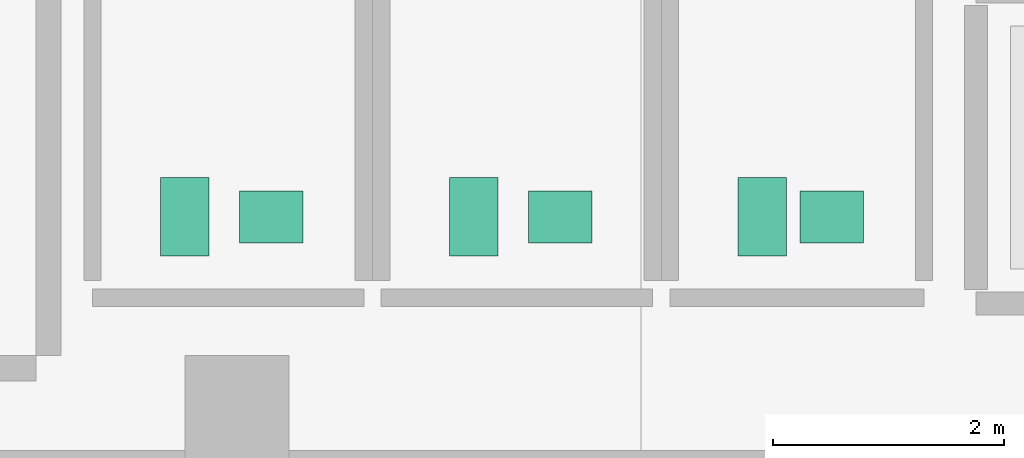
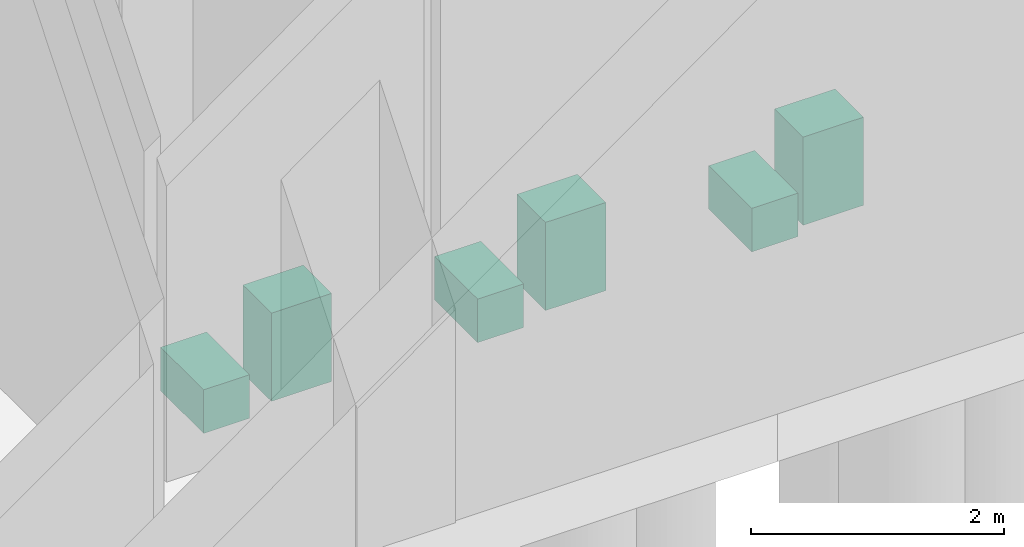
# One storey, part 26 of 27: 6 sanitary terminals.
"""IFC4 building model written with IfcOpenShell, lengths in metres."""

from ifc_helpers import new_model, si_unit, derived_unit, direction, frame, origin, origin_2d, place, context, subcontext, project, spatial, rectangle, extrude, material, type_object, element, save


model = new_model("IFC4")

# Units and contexts
model_context = context("Model", 3, precision=1e-05, world=origin(), true_north=direction((0.0, 1.0)))
body_context = subcontext(model_context, "Body", "Model", "MODEL_VIEW")
ifc_project = project(units=[si_unit("LENGTHUNIT", "METRE"), si_unit("AREAUNIT", "SQUARE_METRE"), si_unit("VOLUMEUNIT", "CUBIC_METRE"), si_unit("PLANEANGLEUNIT", "RADIAN"), si_unit("MASSUNIT", "GRAM", prefix="KILO"), derived_unit("THERMALTRANSMITTANCEUNIT", [(si_unit("MASSUNIT", "GRAM", prefix="KILO"), 1), (si_unit("TIMEUNIT", "SECOND"), -3), (si_unit("THERMODYNAMICTEMPERATUREUNIT", "KELVIN"), -1)])], contexts=[model_context])

# Site, building, storey
site_placement = place(None, origin())
site = spatial("IfcSite", under=ifc_project, at=site_placement, CompositionType="ELEMENT")
building_placement = place(site_placement, origin())
building = spatial("IfcBuilding", under=site, at=building_placement, Name="Valcora Ridge Arena", CompositionType="ELEMENT")
storey_placement = place(building_placement, frame((0.0, 0.0, -5.39990234375)))
storey = spatial("IfcBuildingStorey", under=building, at=storey_placement, Name="B1", CompositionType="ELEMENT", Elevation=-5.39990234375)

# Sanitary terminals
ifc_material = material(Name="Vitreous china sanitary ceramic")
sanitary_terminal_type_1 = type_object("IfcSanitaryTerminalType", Name="TY-SANITARYTERMINAL-BASIN-PED-01", PredefinedType="WASHHANDBASIN", material=ifc_material)
for number, where, z_axis, x_axis, name in (
    (1, (58.300048828125, 22.199951171875, -0.000244140625), (0.0, 0.0, 1.0), (1.0, 0.0, 0.0), "BASIN-PED-01 SAN-BS-0001"),
    (2, (60.800048828125, 22.199951171875, -0.000244140625), (0.0, 0.0, 1.0), (1.0, 0.0, 0.0), "BASIN-PED-01 SAN-BS-0002"),
    (3, (63.14990234375, 22.199951171875, -0.000244140625), (0.0, 0.0, 1.0), (1.0, 0.0, 0.0), "BASIN-PED-01 SAN-BS-0003"),
):
    element("IfcSanitaryTerminal", number, at=place(storey_placement, frame(where, z_axis=z_axis, x_axis=x_axis)), inside=storey, type_object=sanitary_terminal_type_1, Name=name, PredefinedType="WASHHANDBASIN", context=body_context, shape_type="SweptSolid", body=[
        extrude(rectangle(XDim=0.550048828125, YDim=0.449951171875, at=origin_2d()), origin(), (0.0, 0.0, 1.0), 0.85009765625),
    ])
sanitary_terminal_type_2 = type_object("IfcSanitaryTerminalType", Name="TY-SANITARYTERMINAL-WC-PAN-01", PredefinedType="TOILETPAN", material=ifc_material)
for number, where, z_axis, x_axis, name in (
    (4, (57.550048828125, 22.199951171875, 0.0), (0.0, 0.0, 1.0), (1.0, 0.0, 0.0), "WC-PAN-01 SAN-WC-0001"),
    (5, (60.050048828125, 22.199951171875, 0.0), (0.0, 0.0, 1.0), (1.0, 0.0, 0.0), "WC-PAN-01 SAN-WC-0002"),
    (6, (62.550048828125, 22.199951171875, 0.0), (0.0, 0.0, 1.0), (1.0, 0.0, 0.0), "WC-PAN-01 SAN-WC-0003"),
):
    element("IfcSanitaryTerminal", number, at=place(storey_placement, frame(where, z_axis=z_axis, x_axis=x_axis)), inside=storey, type_object=sanitary_terminal_type_2, Name=name, PredefinedType="TOILETPAN", context=body_context, shape_type="SweptSolid", body=[
        extrude(rectangle(XDim=0.419921875, YDim=0.679931640625, at=origin_2d()), origin(), (0.0, 0.0, 1.0), 0.419921875),
    ])

save(model, "model.ifc")
